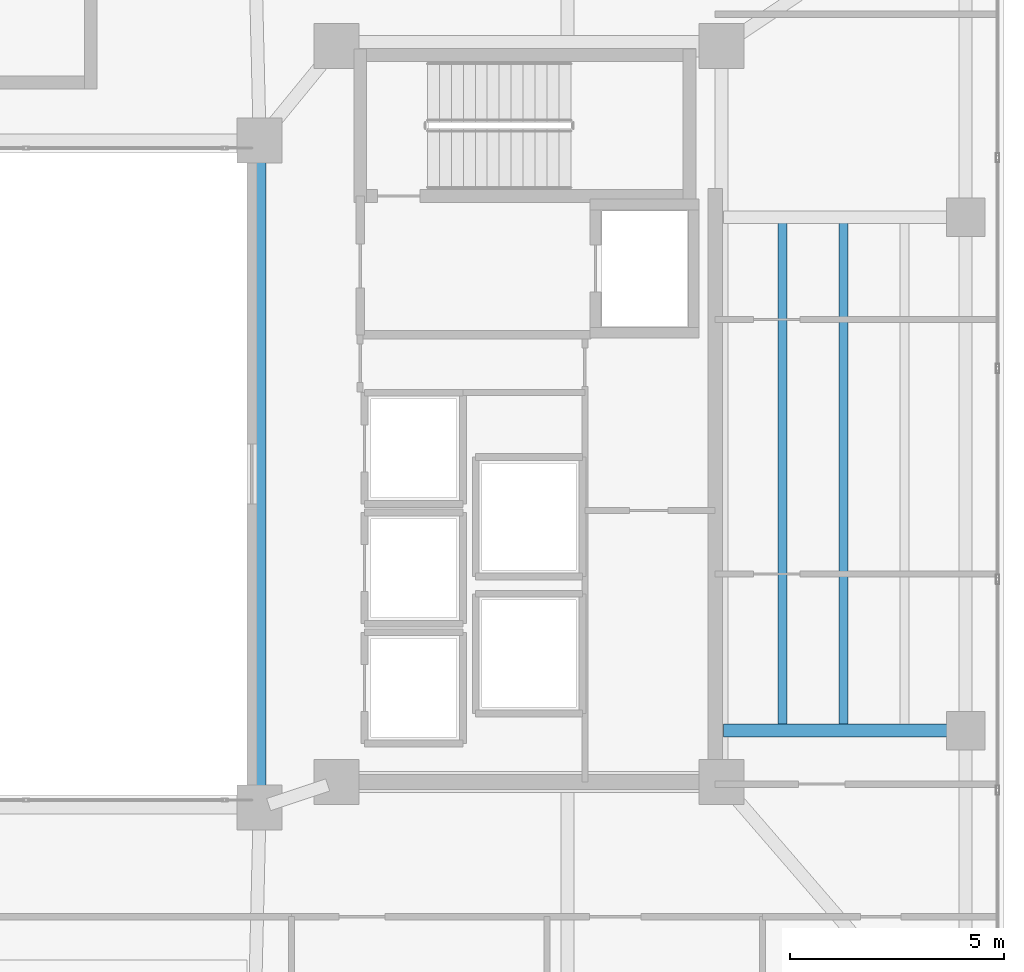
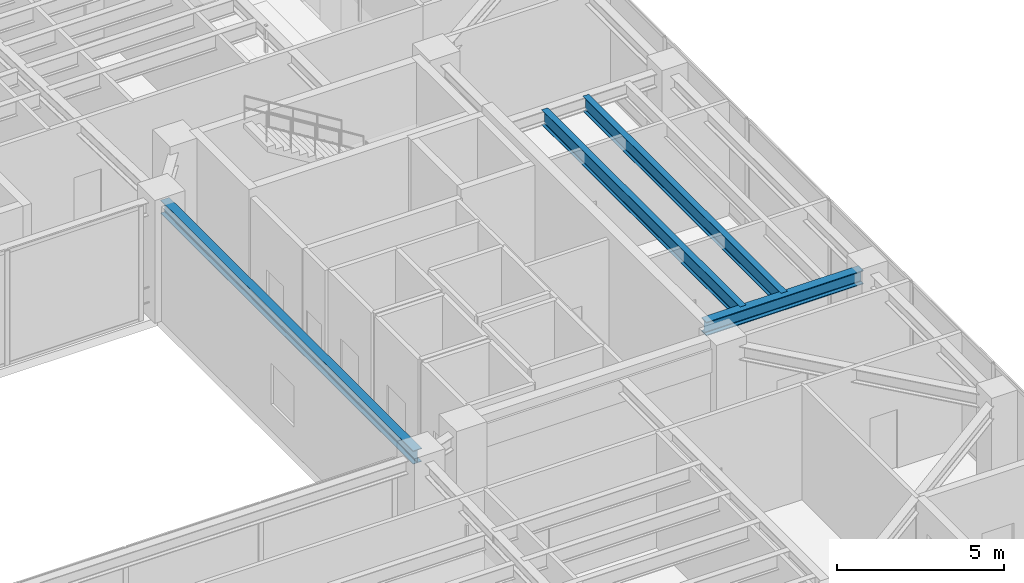
# One storey, part 14 of 33: 4 beams.
"""IFC4 building model written with IfcOpenShell, lengths in metres."""

from ifc_helpers import new_model, si_unit, direction, frame, origin, origin_2d, place, context, subcontext, project, spatial, i_section, extrude, material, material_profile, profile_set, type_object, element, save


model = new_model("IFC4")

# Units and contexts
model_context = context("Model", 3, precision=1e-05, world=origin(), true_north=direction((0.0, 1.0)))
body_context = subcontext(model_context, "Body", "Model", "MODEL_VIEW")
ifc_project = project(units=[si_unit("LENGTHUNIT", "METRE"), si_unit("AREAUNIT", "SQUARE_METRE"), si_unit("VOLUMEUNIT", "CUBIC_METRE"), si_unit("PLANEANGLEUNIT", "RADIAN"), si_unit("MASSUNIT", "GRAM", prefix="KILO")], contexts=[model_context])

# Site, building, storey
site_placement = place(None, origin())
site = spatial("IfcSite", under=ifc_project, at=site_placement, CompositionType="ELEMENT")
building_placement = place(site_placement, origin())
building = spatial("IfcBuilding", under=site, at=building_placement, Name="Tarnavaz Court Tower", CompositionType="ELEMENT")
storey_placement = place(building_placement, frame((0.0, 0.0, 172.800048828125)))
storey = spatial("IfcBuildingStorey", under=building, at=storey_placement, Name="L47", CompositionType="ELEMENT", Elevation=172.800048828125)

# Beams
ifc_material = material(Name="Steel S355", Category="steel")
ifc_material_profile_1 = material_profile(ifc_material, i_section(OverallWidth=0.300048828125, OverallDepth=0.5, WebThickness=0.014404296875, FlangeThickness=0.028076171875, FilletRadius=0.027099609375, at=origin_2d()), Name="HEB 500")
ifc_profile_set_1 = profile_set([ifc_material_profile_1], Name="Steel S355")
beam_type_1 = type_object("IfcBeamType", Name="BM-G-HEB500", PredefinedType="USERDEFINED", material=ifc_profile_set_1)
beam_1_placement = place(storey_placement, frame((18.639892578125, -6.0, 3.949951171875), z_axis=(1.0, 0.0, 0.0), x_axis=(0.0, 1.0, 0.0)))
element("IfcBeam", 1, at=beam_1_placement, inside=storey, type_object=beam_type_1, Name="L47 Beam RG-09", ObjectType="GIRDER", PredefinedType="USERDEFINED", context=body_context, shape_type="SweptSolid", body=[
    extrude(i_section(OverallWidth=0.300048828125, OverallDepth=0.5, WebThickness=0.014404296875, FlangeThickness=0.028076171875, FilletRadius=0.027099609375, at=origin_2d()), origin(), (0.0, 0.0, 1.0), 5.440185546875),
])
ifc_material_profile_2 = material_profile(ifc_material, i_section(OverallWidth=0.2099609375, OverallDepth=0.550048828125, WebThickness=0.010986328125, FlangeThickness=0.01708984375, FilletRadius=0.02392578125, at=origin_2d()), Name="IPE 550")
ifc_profile_set_2 = profile_set([ifc_material_profile_2], Name="Steel S355")
beam_type_2 = type_object("IfcBeamType", Name="BM-J-IPE550", PredefinedType="JOIST", material=ifc_profile_set_2)
for number, where, z_axis, x_axis, name in (
    (2, (20.02490234375, -5.9599609375, 3.925048828125), (0.0, 1.0, 0.0), (-1.0, 0.0, 0.0), "L47 Beam JE1"),
    (3, (21.449951171875, -5.9599609375, 3.925048828125), (0.0, 1.0, 0.0), (-1.0, 0.0, 0.0), "L47 Beam JE2"),
):
    element("IfcBeam", number, at=place(storey_placement, frame(where, z_axis=z_axis, x_axis=x_axis)), inside=storey, type_object=beam_type_2, Name=name, PredefinedType="JOIST", context=body_context, shape_type="SweptSolid", body=[
        extrude(i_section(OverallWidth=0.2099609375, OverallDepth=0.550048828125, WebThickness=0.010986328125, FlangeThickness=0.01708984375, FilletRadius=0.02392578125, at=origin_2d()), origin(), (0.0, 0.0, 1.0), 11.919921875),
    ])
ifc_material_profile_3 = material_profile(ifc_material, i_section(OverallWidth=0.300048828125, OverallDepth=0.489990234375, WebThickness=0.011962890625, FlangeThickness=0.02294921875, FilletRadius=0.027099609375, at=origin_2d()), Name="HEA 500")
ifc_profile_set_3 = profile_set([ifc_material_profile_3], Name="Steel S355")
beam_type_3 = type_object("IfcBeamType", Name="BM-SP-HEA500", PredefinedType="SPANDREL", material=ifc_profile_set_3)
beam_2_placement = place(storey_placement, frame((7.800048828125, -7.580078125, 3.954833984375), z_axis=(0.0, 1.0, 0.0), x_axis=(-1.0, 0.0, 0.0)))
element("IfcBeam", 4, at=beam_2_placement, inside=storey, type_object=beam_type_3, Name="L47 Beam IN-IW-SE-IW-NE", PredefinedType="SPANDREL", context=body_context, shape_type="SweptSolid", body=[
    extrude(i_section(OverallWidth=0.300048828125, OverallDepth=0.489990234375, WebThickness=0.011962890625, FlangeThickness=0.02294921875, FilletRadius=0.027099609375, at=origin_2d()), origin(), (0.0, 0.0, 1.0), 15.16015625),
])

save(model, "model.ifc")
